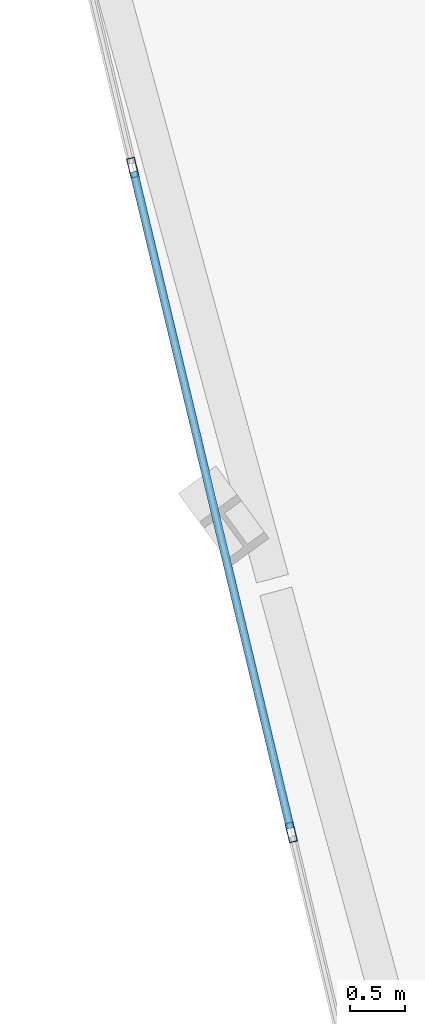
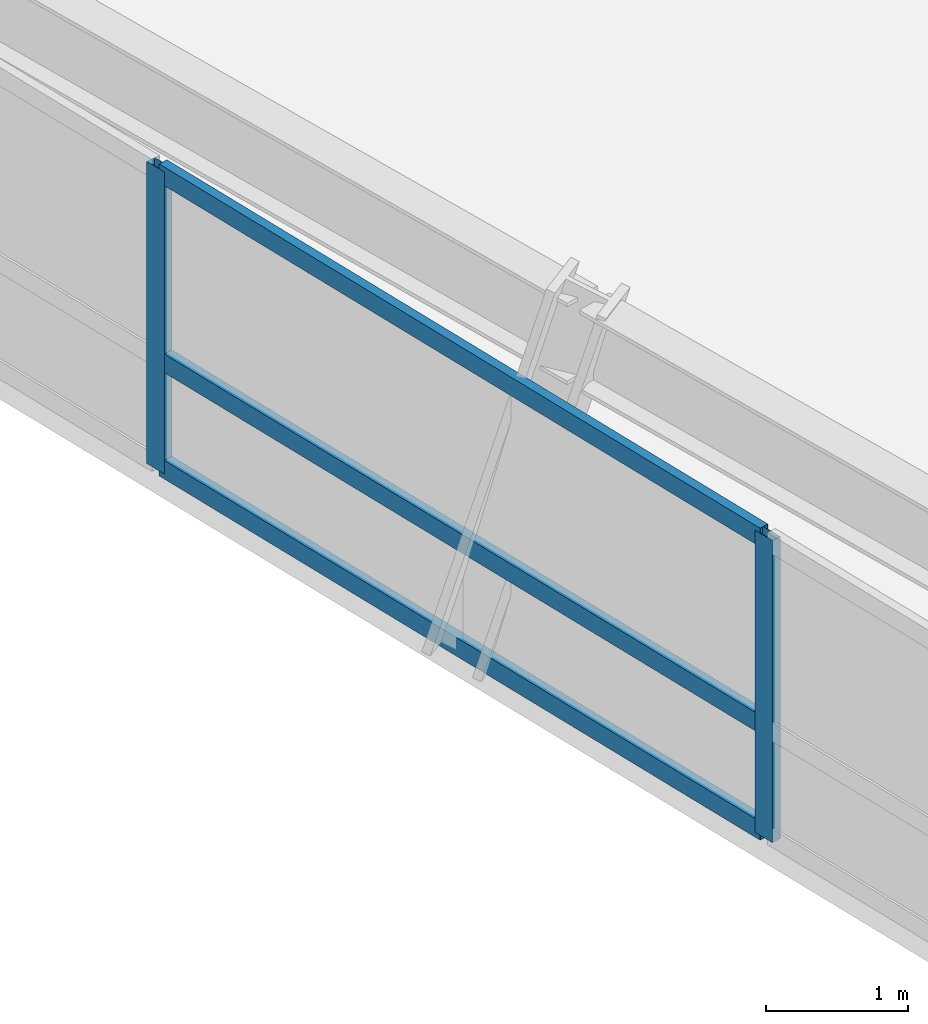
# One storey, part 4 of 21: 5 members, 1 element without a shape of its own.
"""IFC4 building model written with IfcOpenShell, lengths in metres."""

from ifc_helpers import new_model, si_unit, direction, frame, origin, origin_2d, place, context, subcontext, project, spatial, hollow_rectangle, extrude, source, transform, mapped, material, material_profile, profile_set, type_object, element, aggregate, save


model = new_model("IFC4")

# Units and contexts
model_context = context("Model", 3, precision=1e-05, world=origin(), true_north=direction((0.0, 1.0)))
body_context = subcontext(model_context, "Body", "Model", "MODEL_VIEW")
ifc_project = project(units=[si_unit("LENGTHUNIT", "METRE"), si_unit("AREAUNIT", "SQUARE_METRE"), si_unit("VOLUMEUNIT", "CUBIC_METRE"), si_unit("PLANEANGLEUNIT", "RADIAN"), si_unit("MASSUNIT", "GRAM", prefix="KILO")], contexts=[model_context])

# Site, building, storey
site_placement = place(None, origin())
site = spatial("IfcSite", under=ifc_project, at=site_placement, CompositionType="ELEMENT")
building_placement = place(site_placement, origin())
building = spatial("IfcBuilding", under=site, at=building_placement, Name="Olszyna Solenne Hotel", CompositionType="ELEMENT")
storey_placement = place(building_placement, frame((0.0, 0.0, 39.949951171875)))
storey = spatial("IfcBuildingStorey", under=building, at=storey_placement, Name="L09", CompositionType="ELEMENT", Elevation=39.949951171875)

# Curtain wall, members
ifc_material = material(Name="Anodised bronze aluminium", Category="aluminium")
curtain_wall_type = type_object("IfcCurtainWallType", Name="CW-SYS-2", PredefinedType="NOTDEFINED", material=ifc_material)
curtain_wall_placement = place(storey_placement, origin())
curtain_wall = element("IfcCurtainWall", 1, at=curtain_wall_placement, inside=storey, type_object=curtain_wall_type, Name="Unitised curtain wall CW-SYS-2 CW-L09-01", PredefinedType="NOTDEFINED")
ifc_material_profile_1 = material_profile(ifc_material, hollow_rectangle(XDim=0.074951171875, YDim=0.179931640625, WallThickness=0.00439453125, at=origin_2d()), Name="MULL 180x75x4.5", Category="load-bearing")
ifc_profile_set_1 = profile_set([ifc_material_profile_1], Name="Anodised bronze aluminium")
member_type_1 = type_object("IfcMemberType", Name="CW-M2", PredefinedType="MULLION", material=ifc_profile_set_1)
shared_shape_1 = source(origin(), body_context, "Body", "SweptSolid", [
    extrude(hollow_rectangle(XDim=0.074951171875, YDim=0.179931640625, WallThickness=0.00439453125, at=origin_2d()), origin(), (0.0, 0.0, 1.0), 2.592041015625),
])
member_1_placement = place(storey_placement, frame((16.39794921875, 20.68310546875, 0.0), z_axis=(0.0, 0.0, 1.0), x_axis=(0.972707617715, 0.232034244109, 0.0)))
member_1 = element("IfcMember", 2, at=member_1_placement, type_object=member_type_1, Name="Curtain-wall mullion CW-M2 CM-L09-01-02", PredefinedType="MULLION", context=body_context, shape_type="MappedRepresentation", body=[
    mapped(shared_shape_1, transform((0.0, 0.0, 0.0), x_axis=(1.0, 0.0, 0.0), y_axis=(0.0, 1.0, 0.0), z_axis=(0.0, 0.0, 1.0), scale=1.0)),
])
member_2_placement = place(storey_placement, frame((17.841064453125, 14.633544921875, 0.0), z_axis=(0.0, 0.0, 1.0), x_axis=(0.972707617715, 0.232034244109, 0.0)))
member_2 = element("IfcMember", 3, at=member_2_placement, type_object=member_type_1, Name="Curtain-wall mullion CW-M2 CM-L09-01-03", PredefinedType="MULLION", context=body_context, shape_type="MappedRepresentation", body=[
    mapped(shared_shape_1, transform((0.0, 0.0, 0.0), x_axis=(1.0, 0.0, 0.0), y_axis=(0.0, 1.0, 0.0), z_axis=(0.0, 0.0, 1.0), scale=1.0)),
])
ifc_material_profile_2 = material_profile(ifc_material, hollow_rectangle(XDim=0.074951171875, YDim=0.159912109375, WallThickness=0.00390625, at=origin_2d()), Name="TRAN 160x75x4", Category="load-bearing")
ifc_profile_set_2 = profile_set([ifc_material_profile_2], Name="Anodised bronze aluminium")
member_type_2 = type_object("IfcMemberType", Name="CW-T1", PredefinedType="USERDEFINED", material=ifc_profile_set_2)
shared_shape_2 = source(origin(), body_context, "Body", "SweptSolid", [
    extrude(hollow_rectangle(XDim=0.074951171875, YDim=0.159912109375, WallThickness=0.00390625, at=origin_2d()), origin(), (0.0, 0.0, 1.0), 6.14453125),
])
member_3_placement = place(storey_placement, frame((16.40673828125, 20.646728515625, 0.03759765625), z_axis=(0.232041284248, -0.9727059383, 0.0), x_axis=(0.9727059383, 0.232041284248, 0.0)))
member_3 = element("IfcMember", 4, at=member_3_placement, type_object=member_type_2, Name="Curtain-wall transom CW-T1 CT-L09-01-04", ObjectType="TRANSOM", PredefinedType="USERDEFINED", context=body_context, shape_type="MappedRepresentation", body=[
    mapped(shared_shape_2, transform((0.0, 0.0, 0.0), x_axis=(1.0, 0.0, 0.0), y_axis=(0.0, 1.0, 0.0), z_axis=(0.0, 0.0, 1.0), scale=1.0)),
])
member_4_placement = place(storey_placement, frame((16.40673828125, 20.646728515625, 0.949951171875), z_axis=(0.232041284248, -0.9727059383, 0.0), x_axis=(0.9727059383, 0.232041284248, 0.0)))
member_4 = element("IfcMember", 5, at=member_4_placement, type_object=member_type_2, Name="Curtain-wall transom CW-T1 CT-L09-01-05", ObjectType="TRANSOM", PredefinedType="USERDEFINED", context=body_context, shape_type="MappedRepresentation", body=[
    mapped(shared_shape_2, transform((0.0, 0.0, 0.0), x_axis=(1.0, 0.0, 0.0), y_axis=(0.0, 1.0, 0.0), z_axis=(0.0, 0.0, 1.0), scale=1.0)),
])
member_5_placement = place(storey_placement, frame((16.40673828125, 20.646728515625, 2.554443359375), z_axis=(0.232041284248, -0.9727059383, 0.0), x_axis=(0.9727059383, 0.232041284248, 0.0)))
member_5 = element("IfcMember", 6, at=member_5_placement, type_object=member_type_2, Name="Curtain-wall transom CW-T1 CT-L09-01-06", ObjectType="TRANSOM", PredefinedType="USERDEFINED", context=body_context, shape_type="MappedRepresentation", body=[
    mapped(shared_shape_2, transform((0.0, 0.0, 0.0), x_axis=(1.0, 0.0, 0.0), y_axis=(0.0, 1.0, 0.0), z_axis=(0.0, 0.0, 1.0), scale=1.0)),
])
aggregate(curtain_wall, [member_1, member_2, member_3, member_4, member_5])

save(model, "model.ifc")
